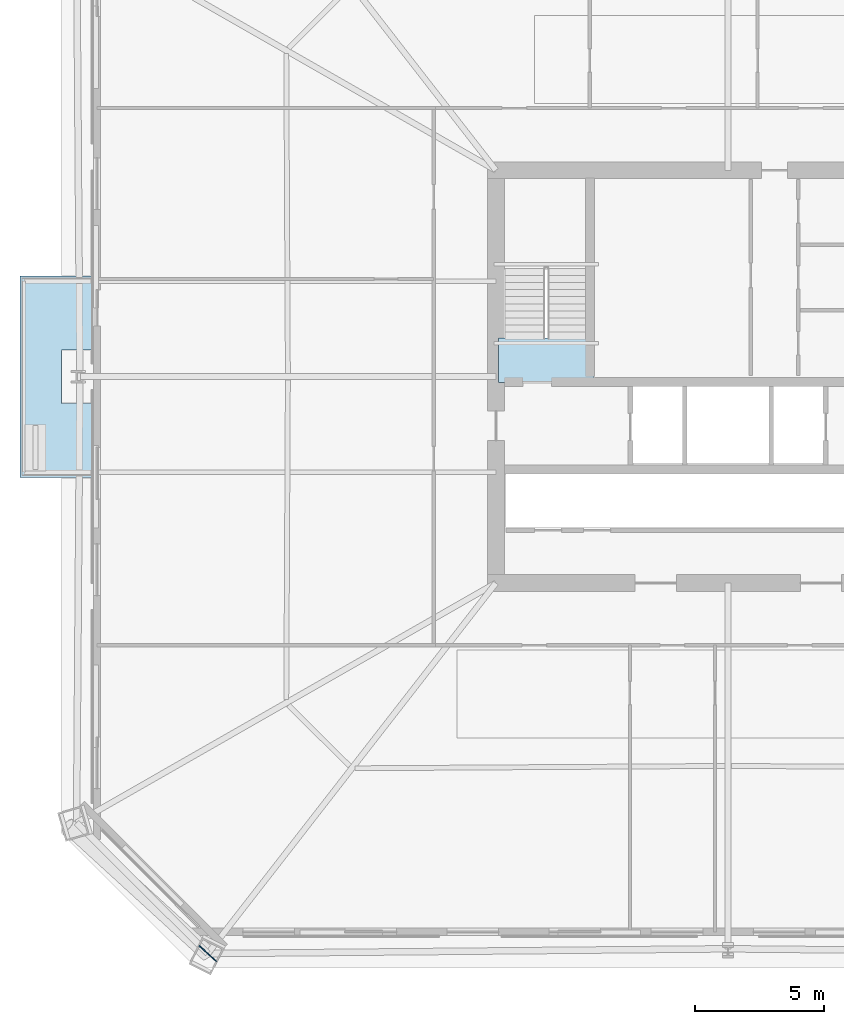
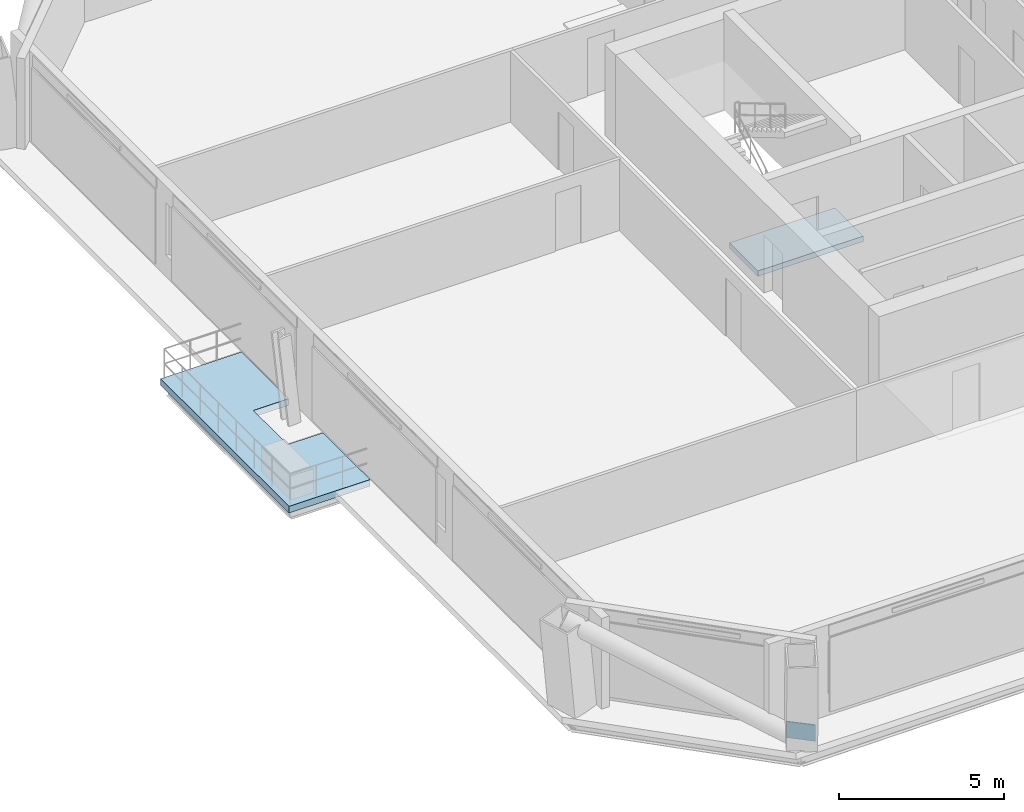
# One storey, part 2 of 11: 2 slabs, 1 plate, 1 element without a shape of its own.
"""IFC4 building model written with IfcOpenShell, lengths in metres."""

from ifc_helpers import new_model, si_unit, direction, frame, origin, origin_2d, place, context, subcontext, project, spatial, polyline, rectangle, outline, extrude, material, layer, layer_set, type_object, element, aggregate, save


model = new_model("IFC4")

# Units and contexts
model_context = context("Model", 3, precision=1e-05, world=origin(), true_north=direction((0.0, 1.0)))
body_context = subcontext(model_context, "Body", "Model", "MODEL_VIEW")
ifc_project = project(units=[si_unit("LENGTHUNIT", "METRE"), si_unit("AREAUNIT", "SQUARE_METRE"), si_unit("VOLUMEUNIT", "CUBIC_METRE"), si_unit("PLANEANGLEUNIT", "RADIAN"), si_unit("MASSUNIT", "GRAM", prefix="KILO")], contexts=[model_context])

# Site, building, storey
site_placement = place(None, origin())
site = spatial("IfcSite", under=ifc_project, at=site_placement, CompositionType="ELEMENT")
building_placement = place(site_placement, origin())
building = spatial("IfcBuilding", under=site, at=building_placement, Name="Caelvoria Tower", CompositionType="ELEMENT")
storey_placement = place(building_placement, frame((0.0, 0.0, 67.60009765625)))
storey = spatial("IfcBuildingStorey", under=building, at=storey_placement, Name="L17", CompositionType="ELEMENT", Elevation=67.60009765625)

# Plate
ifc_material_1 = material(Name="Structural Steel ASTM A572 Gr.50", Category="steel")
ifc_layer_1 = layer(ifc_material_1, 0.0400390625, Name="Structural Steel ASTM A572 Gr.50")
ifc_layer_set_1 = layer_set([ifc_layer_1], Name="Megaframe Node Gusset Plate 900x600x40 - Structural Steel ASTM A572 Gr.50")
plate_type = type_object("IfcPlateType", Name="Megaframe Node Gusset Plate 900x600x40", PredefinedType="USERDEFINED", material=ifc_layer_set_1)
plate_placement = place(storey_placement, frame((25.832275390625, 9.634765625, 0.019775390625), z_axis=(0.0, 0.0, 1.0), x_axis=(-0.738076268772, 0.674717290038, 0.0)))
element("IfcPlate", 1, at=plate_placement, inside=storey, type_object=plate_type, Name="Chamfer Mega Brace Gusset L17 SW", ObjectType="GUSSET_PLATE", PredefinedType="USERDEFINED", context=body_context, shape_type="SweptSolid", body=[
    extrude(rectangle(XDim=0.89990234375, YDim=0.0400390625, at=origin_2d()), origin(), (0.0, 0.0, 1.0), 0.60009765625),
])

# Stair, slab
ifc_material_2 = material(Name="Concrete C40/50", Category="concrete")
stair_type = type_object("IfcStairType", Name="Core Smokeproof Dogleg Stair Concrete C40/50", PredefinedType="HALF_TURN_STAIR", material=ifc_material_2)
stair_placement = place(storey_placement, origin())
stair = element("IfcStair", 2, at=stair_placement, inside=storey, type_object=stair_type, Name="ST-01 Smokeproof Exit Stair L17", PredefinedType="HALF_TURN_STAIR")
ifc_layer_2 = layer(ifc_material_2, 0.199951171875, Name="Concrete C40/50")
ifc_layer_set_2 = layer_set([ifc_layer_2], Name="Stair Half and Floor Landing Slab 200 Concrete C40/50 - Concrete C40/50")
slab_type_1 = type_object("IfcSlabType", Name="Stair Half and Floor Landing Slab 200 Concrete C40/50", PredefinedType="LANDING", material=ifc_layer_set_2)
slab_1_placement = place(storey_placement, frame((0.0, 0.0, -0.2001953125)))
slab_1 = element("IfcSlab", 3, at=slab_1_placement, type_object=slab_type_1, Name="ST-01 landing 1", PredefinedType="LANDING", context=body_context, shape_type="SweptSolid", body=[
    extrude(outline(polyline([(37.10009765625, 31.77001953125), (40.800048828125, 31.77001953125), (40.800048828125, 33.5), (37.10009765625, 33.5), (37.10009765625, 31.77001953125)])), origin(), (0.0, 0.0, 1.0), 0.2001953125),
])
aggregate(stair, [slab_1])

# Slab
ifc_material_3 = material(Name="Concrete C45/55", Category="concrete")
ifc_layer_3 = layer(ifc_material_3, 0.25, Name="Concrete C45/55")
ifc_layer_set_3 = layer_set([ifc_layer_3], Name="Tree Balcony Structural Planter Slab 250 - Concrete C45/55")
slab_type_2 = type_object("IfcSlabType", Name="Tree Balcony Structural Planter Slab 250", PredefinedType="FLOOR", material=ifc_layer_set_3)
slab_2_placement = place(storey_placement, frame((0.0, 0.0, -0.25)))
element("IfcSlab", 4, at=slab_2_placement, inside=storey, type_object=slab_type_2, Name="Tree Balcony Slab TB-L17-W", PredefinedType="FLOOR", context=body_context, shape_type="SweptSolid", body=[
    extrude(outline(polyline([(18.550048828125, 28.10009765625), (20.14990234375, 28.10009765625), (21.389892578125, 28.10009765625), (21.389892578125, 30.9599609375), (20.14990234375, 30.9599609375), (20.14990234375, 33.0400390625), (21.389892578125, 33.0400390625), (21.389892578125, 35.89990234375), (20.14990234375, 35.89990234375), (18.550048828125, 35.89990234375), (18.550048828125, 28.10009765625)])), origin(), (0.0, 0.0, 1.0), 0.25),
])

save(model, "model.ifc")
